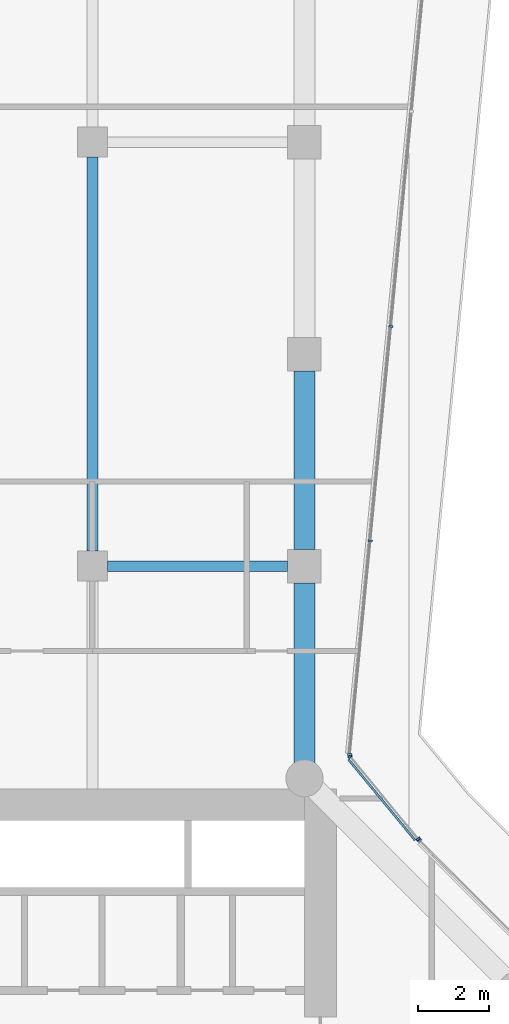
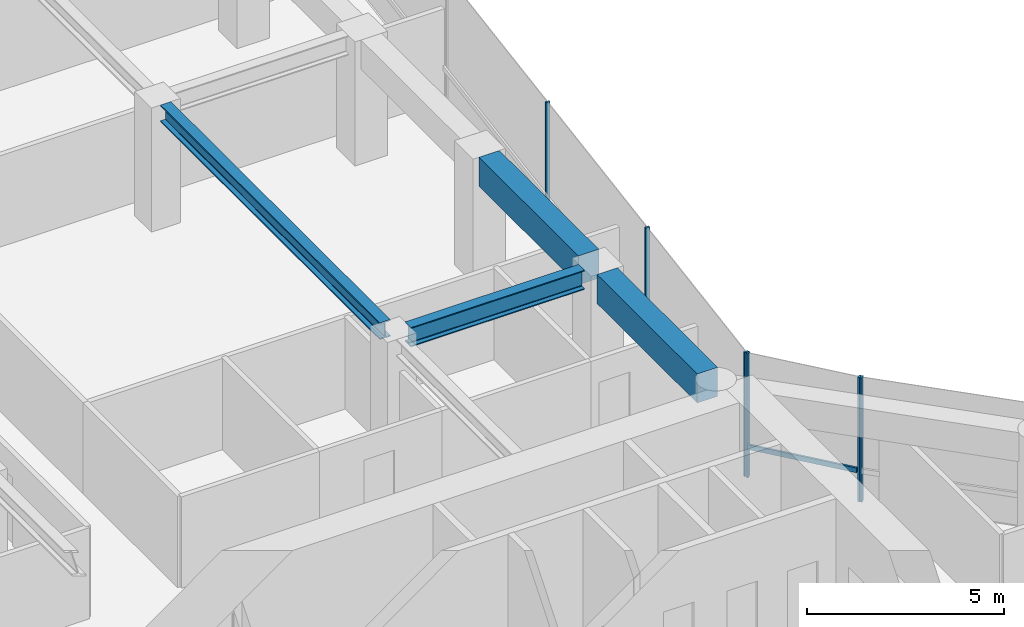
# One storey, part 13 of 31: 7 members, 4 beams, 3 elements without a shape of their own.
"""IFC4 building model written with IfcOpenShell, lengths in metres."""

import ifcopenshell
import ifcopenshell.guid

model = None  # the IFC model being written
_history = None  # IfcOwnerHistory: only IFC2X3 demands one
_inside = {}  # id of a spatial element -> (the spatial element, [elements in it])
_under = {}  # id of a project, library or spatial element -> (it, [spatial elements below it])
_declared = {}  # id of a project -> (the project, [libraries it declares])
_typed = {}  # id of a type object -> (the type object, [elements of that type])
_made_of = {}  # id of a material, layer set ... -> (it, [elements and type objects made of it])


def new_model(schema):
    """Start an empty IFC model of exactly this schema.

    Asked for "IFC4X3", IfcOpenShell would pick the latest addendum, in which some entities
    have other attributes; the version numbers below select the first issue.
    IFC2X3 requires an IfcOwnerHistory on every rooted entity: one is made here for all.
    """
    global model, _history
    if schema == "IFC4X3":
        model = ifcopenshell.file(schema_version=(4, 3, 0, 0))
    else:
        model = ifcopenshell.file(schema=schema)
    _inside.clear()
    _under.clear()
    _declared.clear()
    _typed.clear()
    _made_of.clear()
    _history = None
    if model.schema == "IFC2X3":
        org = make("IfcOrganization", Name="unknown")
        user = make(
            "IfcPersonAndOrganization",
            ThePerson=make("IfcPerson", FamilyName="unknown"),
            TheOrganization=org,
        )
        app = make(
            "IfcApplication",
            ApplicationDeveloper=org,
            Version="unknown",
            ApplicationFullName="unknown",
            ApplicationIdentifier="unknown",
        )
        _history = make(
            "IfcOwnerHistory",
            OwningUser=user,
            OwningApplication=app,
            ChangeAction="ADDED",
            CreationDate=0,
        )
    return model


def make(cls, **values):
    """One entity of the class cls with the attributes given. An attribute that is None is left unset."""
    return model.create_entity(
        cls, **{name: value for name, value in values.items() if value is not None}
    )


def rooted(cls, **values):
    """An entity with a GlobalId (a new one), such as an element, a storey or a relation."""
    return make(cls, GlobalId=ifcopenshell.guid.new(), OwnerHistory=_history, **values)


def si_unit(unit_type, name, prefix=None):
    """IfcSIUnit, for example si_unit("LENGTHUNIT", "METRE", prefix="MILLI")."""
    return make("IfcSIUnit", UnitType=unit_type, Prefix=prefix, Name=name)


def assignment(units):
    """IfcUnitAssignment: the units of a project."""
    return None if units is None else make("IfcUnitAssignment", Units=units)


def point(xyz):
    """IfcCartesianPoint."""
    return None if xyz is None else make("IfcCartesianPoint", Coordinates=xyz)


def direction(xyz):
    """IfcDirection."""
    return None if xyz is None else make("IfcDirection", DirectionRatios=xyz)


def frame(location, z_axis=None, x_axis=None):
    """IfcAxis2Placement3D, a coordinate frame: its origin and axes. An axis left out is left unset."""
    return make(
        "IfcAxis2Placement3D",
        Location=point(location),
        Axis=direction(z_axis),
        RefDirection=direction(x_axis),
    )


def frame_2d(location, x_axis=None):
    """IfcAxis2Placement2D, a coordinate frame in the plane: its origin and x axis."""
    return make(
        "IfcAxis2Placement2D", Location=point(location), RefDirection=direction(x_axis)
    )


def origin():
    """The frame at (0, 0, 0) with its axes left unset."""
    return frame((0.0, 0.0, 0.0))


def origin_2d():
    """The frame at (0, 0) in the plane with its x axis left unset."""
    return frame_2d((0.0, 0.0))


def place(relative_to, where):
    """IfcLocalPlacement: puts the frame where relative to a parent placement (None: the world)."""
    return make(
        "IfcLocalPlacement", PlacementRelTo=relative_to, RelativePlacement=where
    )


def context(
    kind, dimensions, precision=None, world=None, true_north=None, identifier=None
):
    """IfcGeometricRepresentationContext, for example the 3D "Model" context."""
    return make(
        "IfcGeometricRepresentationContext",
        ContextIdentifier=identifier,
        ContextType=kind,
        CoordinateSpaceDimension=dimensions,
        Precision=precision,
        WorldCoordinateSystem=world,
        TrueNorth=true_north,
    )


def subcontext(parent, identifier, kind, view, scale=None):
    """IfcGeometricRepresentationSubContext, for example "Body" below "Model"."""
    return make(
        "IfcGeometricRepresentationSubContext",
        ContextIdentifier=identifier,
        ContextType=kind,
        ParentContext=parent,
        TargetScale=scale,
        TargetView=view,
    )


def project(units=None, contexts=None):
    """IfcProject with its units and contexts."""
    return rooted(
        "IfcProject",
        Name="project",
        RepresentationContexts=contexts,
        UnitsInContext=assignment(units),
    )


def spatial(cls, under=None, at=None, **own):
    """A site, building, storey or space (cls), placed at a placement, below another one or the project."""
    s = rooted(cls, ObjectPlacement=at, **own)
    if under is not None:
        _under.setdefault(under.id(), (under, []))[1].append(s)
    return s


def profile(cls, at=None, kind="AREA", **sizes):
    """A parametric profile (cls). Its sizes go by their IFC names, for example OverallWidth=200.0."""
    return make(cls, ProfileType=kind, Position=at, **sizes)


def rectangle(**sizes):
    """IfcRectangleProfileDef."""
    return profile("IfcRectangleProfileDef", **sizes)


def i_section(**sizes):
    """IfcIShapeProfileDef."""
    return profile("IfcIShapeProfileDef", **sizes)


def extrude(swept, where, along, depth):
    """IfcExtrudedAreaSolid: the profile swept, set in the frame where, extruded along a direction by depth."""
    return make(
        "IfcExtrudedAreaSolid",
        SweptArea=swept,
        Position=where,
        ExtrudedDirection=direction(along),
        Depth=depth,
    )


def shape(context_of_items, identifier, shape_type, items):
    """IfcShapeRepresentation: the items that make up one representation, for example the "Body"."""
    return make(
        "IfcShapeRepresentation",
        ContextOfItems=context_of_items,
        RepresentationIdentifier=identifier,
        RepresentationType=shape_type,
        Items=items,
    )


def material(Name=None, Category=None):
    """IfcMaterial."""
    return make("IfcMaterial", Name=Name, Category=Category)


def layer(
    of_material, thickness, ventilated=None, Name=None, Category=None, Priority=None
):
    """IfcMaterialLayer: one layer of a wall or slab, of a material (None: an air gap)."""
    return make(
        "IfcMaterialLayer",
        Material=of_material,
        LayerThickness=thickness,
        IsVentilated=ventilated,
        Name=Name,
        Category=Category,
        Priority=Priority,
    )


def layer_set(layers, Name=None):
    """IfcMaterialLayerSet."""
    return make("IfcMaterialLayerSet", MaterialLayers=layers, LayerSetName=Name)


def material_profile(
    of_material, cross_section, Name=None, Category=None, Priority=None
):
    """IfcMaterialProfile: a cross section and its material."""
    return make(
        "IfcMaterialProfile",
        Name=Name,
        Material=of_material,
        Profile=cross_section,
        Priority=Priority,
        Category=Category,
    )


def profile_set(profiles, Name=None, composite=None):
    """IfcMaterialProfileSet."""
    return make(
        "IfcMaterialProfileSet",
        Name=Name,
        MaterialProfiles=profiles,
        CompositeProfile=composite,
    )


def made_of(thing, what):
    """Note that an element or type object is made of a material, layer set ...; save() writes the relation."""
    if what is not None:
        _made_of.setdefault(what.id(), (what, []))[1].append(thing)
    return thing


def type_object(cls, material=None, **own):
    """A type object (cls), such as IfcWallType, which elements share."""
    return made_of(rooted(cls, **own), material)


def element(
    cls,
    number,
    at=None,
    inside=None,
    cuts=None,
    type_object=None,
    material=None,
    context=None,
    identifier="Body",
    shape_type=None,
    held_by="IfcProductDefinitionShape",
    body=None,
    shapes=None,
    **own,
):
    """One element of the class cls, such as IfcWall. Its Tag is "e" and its number.

    at: its placement. inside: the storey or other place that contains it. cuts: it is an
    opening in that element (IfcRelVoidsElement). A single representation is given by context,
    identifier, shape_type and body (its items); several are given by shapes. held_by: the class
    of the entity that holds the representations. save() writes the other relations.
    """
    e = rooted(cls, Tag="e%d" % number, ObjectPlacement=at, **own)
    if body is not None:
        shapes = [shape(context, identifier, shape_type, body)]
    if shapes is not None:
        e.Representation = make(held_by, Representations=shapes)
    if inside is not None:
        _inside.setdefault(inside.id(), (inside, []))[1].append(e)
    if cuts is not None:
        rooted(
            "IfcRelVoidsElement", RelatingBuildingElement=cuts, RelatedOpeningElement=e
        )
    if type_object is not None:
        _typed.setdefault(type_object.id(), (type_object, []))[1].append(e)
    return made_of(e, material)


def aggregate(whole, parts):
    """IfcRelAggregates: a whole, such as a stair, and the parts it consists of."""
    return rooted("IfcRelAggregates", RelatingObject=whole, RelatedObjects=parts)


def save(model, path):
    """Write the relations noted so far, then the file.

    IfcRelAggregates (storeys below a building ...), IfcRelContainedInSpatialStructure (elements
    in a storey), IfcRelDefinesByType, IfcRelAssociatesMaterial and IfcRelDeclares: one each for
    every whole, place, type object, material and project.
    """
    for whole, parts in _under.values():
        aggregate(whole, parts)
    for where, things in _inside.values():
        rooted(
            "IfcRelContainedInSpatialStructure",
            RelatedElements=things,
            RelatingStructure=where,
        )
    for kind, things in _typed.values():
        rooted("IfcRelDefinesByType", RelatedObjects=things, RelatingType=kind)
    for what, things in _made_of.values():
        rooted("IfcRelAssociatesMaterial", RelatedObjects=things, RelatingMaterial=what)
    for by, libraries in _declared.values():
        rooted("IfcRelDeclares", RelatingContext=by, RelatedDefinitions=libraries)
    model.write(path)


model = new_model("IFC4")

# Units and contexts
model_context = context("Model", 3, precision=1e-05, world=origin(), true_north=direction((0.0, 1.0)))
body_context = subcontext(model_context, "Body", "Model", "MODEL_VIEW")
ifc_project = project(units=[si_unit("LENGTHUNIT", "METRE"), si_unit("AREAUNIT", "SQUARE_METRE"), si_unit("VOLUMEUNIT", "CUBIC_METRE"), si_unit("PLANEANGLEUNIT", "RADIAN"), si_unit("MASSUNIT", "GRAM", prefix="KILO")], contexts=[model_context])

# Site, building, storey
site_placement = place(None, origin())
site = spatial("IfcSite", under=ifc_project, at=site_placement, CompositionType="ELEMENT")
building_placement = place(site_placement, origin())
building = spatial("IfcBuilding", under=site, at=building_placement, Name="Welwitschia Terrace Campus", CompositionType="ELEMENT")
storey_placement = place(building_placement, frame((0.0, 0.0, 29.0)))
storey = spatial("IfcBuildingStorey", under=building, at=storey_placement, Name="L06", CompositionType="ELEMENT", Elevation=29.0)

# Beam
ifc_material_1 = material(Name="Steel S355", Category="steel")
ifc_material_profile_1 = material_profile(ifc_material_1, i_section(OverallWidth=0.305908203125, OverallDepth=0.52392578125, WebThickness=0.02099609375, FlangeThickness=0.0400390625, FilletRadius=0.027099609375, at=origin_2d()))
ifc_profile_set_1 = profile_set([ifc_material_profile_1], Name="Steel S355")
beam_type_1 = type_object("IfcBeamType", Name="Interior girder HE 500 M", PredefinedType="BEAM", material=ifc_profile_set_1)
beam_1_placement = place(storey_placement, frame((18.0, 32.425537109375, 3.587890625), z_axis=(0.0, 1.0, 0.0), x_axis=(-1.0, 0.0, 0.0)))
element("IfcBeam", 1, at=beam_1_placement, inside=storey, type_object=beam_type_1, Name="Girder GB2", PredefinedType="BEAM", context=body_context, shape_type="SweptSolid", body=[
    extrude(i_section(OverallWidth=0.305908203125, OverallDepth=0.52392578125, WebThickness=0.02099609375, FlangeThickness=0.0400390625, FilletRadius=0.027099609375, at=origin_2d()), origin(), (0.0, 0.0, 1.0), 11.14892578125),
])

# Curtain wall, member
ifc_material_2 = material(Name="Bronze anodised aluminium", Category="aluminium")
ifc_layer = layer(ifc_material_2, 0.1201171875)
ifc_layer_set = layer_set([ifc_layer], Name="Bronze anodised aluminium")
curtain_wall_type = type_object("IfcCurtainWallType", Name="Curtain wall CW2 tower 6000", PredefinedType="NOTDEFINED", material=ifc_layer_set)
curtain_wall_1_placement = place(storey_placement, origin())
curtain_wall_1 = element("IfcCurtainWall", 2, at=curtain_wall_1_placement, inside=storey, type_object=curtain_wall_type, Name="CW L06.10.0", PredefinedType="NOTDEFINED")
ifc_material_3 = material(Name="Bronze anodised aluminium", Category="aluminium")
ifc_material_profile_2 = material_profile(ifc_material_3, rectangle(XDim=0.1201171875, YDim=0.06005859375, at=origin_2d()))
ifc_profile_set_2 = profile_set([ifc_material_profile_2], Name="Bronze anodised aluminium")
member_type_1 = type_object("IfcMemberType", Name="Mullion 60x120", PredefinedType="MULLION", material=ifc_profile_set_2)
member_1_placement = place(storey_placement, frame((27.259765625, 24.236572265625, 0.0), z_axis=(0.0, 0.0, 1.0), x_axis=(-0.707106781187, -0.707106781187, 0.0)))
member_1 = element("IfcMember", 3, at=member_1_placement, type_object=member_type_1, Name="Mullion L06.10.0.1", PredefinedType="MULLION", context=body_context, shape_type="SweptSolid", body=[
    extrude(rectangle(XDim=0.1201171875, YDim=0.06005859375, at=origin_2d()), origin(), (0.0, 0.0, 1.0), 3.85009765625),
])
aggregate(curtain_wall_1, [member_1])

# Curtain wall, members
curtain_wall_2_placement = place(storey_placement, origin())
curtain_wall_2 = element("IfcCurtainWall", 4, at=curtain_wall_2_placement, inside=storey, type_object=curtain_wall_type, Name="CW L06.11.0", PredefinedType="NOTDEFINED")
member_2_placement = place(storey_placement, frame((27.21923828125, 24.281005859375, 0.0), z_axis=(0.0, 0.0, 1.0), x_axis=(-0.771624583388, -0.636078220278, 0.0)))
member_2 = element("IfcMember", 5, at=member_2_placement, type_object=member_type_1, Name="Mullion L06.11.0.0", PredefinedType="MULLION", context=body_context, shape_type="SweptSolid", body=[
    extrude(rectangle(XDim=0.1201171875, YDim=0.06005859375, at=origin_2d()), origin(), (0.0, 0.0, 1.0), 3.85009765625),
])
member_3_placement = place(storey_placement, frame((25.293701171875, 26.616943359375, 0.0), z_axis=(0.0, 0.0, 1.0), x_axis=(-0.771624583388, -0.636078220278, 0.0)))
member_3 = element("IfcMember", 6, at=member_3_placement, type_object=member_type_1, Name="Mullion L06.11.0.1", PredefinedType="MULLION", context=body_context, shape_type="SweptSolid", body=[
    extrude(rectangle(XDim=0.1201171875, YDim=0.06005859375, at=origin_2d()), origin(), (0.0, 0.0, 1.0), 3.85009765625),
])

curtain_wall_3_placement = place(storey_placement, origin())
curtain_wall_3 = element("IfcCurtainWall", 7, at=curtain_wall_3_placement, inside=storey, type_object=curtain_wall_type, Name="CW L06.12.0", PredefinedType="NOTDEFINED")
member_4_placement = place(storey_placement, frame((25.27734375, 26.670166015625, 0.0), z_axis=(0.0, 0.0, 1.0), x_axis=(-0.995396198367, 0.09584575252, 0.0)))
member_4 = element("IfcMember", 8, at=member_4_placement, type_object=member_type_1, Name="Mullion L06.12.0.0", PredefinedType="MULLION", context=body_context, shape_type="SweptSolid", body=[
    extrude(rectangle(XDim=0.1201171875, YDim=0.06005859375, at=origin_2d()), origin(), (0.0, 0.0, 1.0), 3.85009765625),
])
member_5_placement = place(storey_placement, frame((25.859619140625, 32.71533203125, 0.0), z_axis=(0.0, 0.0, 1.0), x_axis=(-0.995396198367, 0.09584575252, 0.0)))
member_5 = element("IfcMember", 9, at=member_5_placement, type_object=member_type_1, Name="Mullion L06.12.0.1", PredefinedType="MULLION", context=body_context, shape_type="SweptSolid", body=[
    extrude(rectangle(XDim=0.1201171875, YDim=0.06005859375, at=origin_2d()), origin(), (0.0, 0.0, 1.0), 3.85009765625),
])
member_6_placement = place(storey_placement, frame((26.444580078125, 38.79052734375, 0.0), z_axis=(0.0, 0.0, 1.0), x_axis=(-0.995396198367, 0.09584575252, 0.0)))
member_6 = element("IfcMember", 10, at=member_6_placement, type_object=member_type_1, Name="Mullion L06.12.0.2", PredefinedType="MULLION", context=body_context, shape_type="SweptSolid", body=[
    extrude(rectangle(XDim=0.1201171875, YDim=0.06005859375, at=origin_2d()), origin(), (0.0, 0.0, 1.0), 3.85009765625),
])
aggregate(curtain_wall_3, [member_4, member_5, member_6])

# Beams
ifc_material_4 = material(Name="Steel S355", Category="steel")
ifc_material_profile_3 = material_profile(ifc_material_4, i_section(OverallWidth=0.300048828125, OverallDepth=0.60009765625, WebThickness=0.015380859375, FlangeThickness=0.030029296875, FilletRadius=0.027099609375, at=origin_2d()))
ifc_profile_set_3 = profile_set([ifc_material_profile_3], Name="Steel S355")
beam_type_2 = type_object("IfcBeamType", Name="Primary beam HE 600 B", PredefinedType="BEAM", material=ifc_profile_set_3)
beam_2_placement = place(storey_placement, frame((23.5244140625, 32.0, 3.550048828125), z_axis=(-1.0, 0.0, 0.0), x_axis=(0.0, -1.0, 0.0)))
element("IfcBeam", 11, at=beam_2_placement, inside=storey, type_object=beam_type_2, Name="Primary beam PB2", PredefinedType="BEAM", context=body_context, shape_type="SweptSolid", body=[
    extrude(i_section(OverallWidth=0.300048828125, OverallDepth=0.60009765625, WebThickness=0.015380859375, FlangeThickness=0.030029296875, FilletRadius=0.027099609375, at=origin_2d()), origin(), (0.0, 0.0, 1.0), 5.098876953125),
])
ifc_material_5 = material(Name="Concrete C60/75", Category="concrete")
ifc_material_profile_4 = material_profile(ifc_material_5, rectangle(XDim=0.60009765625, YDim=0.89990234375, at=origin_2d()))
ifc_profile_set_4 = profile_set([ifc_material_profile_4], Name="Concrete C60/75")
beam_type_3 = type_object("IfcBeamType", Name="Ring spandrel 600x900", PredefinedType="SPANDREL", material=ifc_profile_set_4)
beam_3_placement = place(storey_placement, frame((24.0, 26.431396484375, 3.39990234375), z_axis=(0.0, 1.0, 0.0), x_axis=(-1.0, 0.0, 0.0)))
element("IfcBeam", 12, at=beam_3_placement, inside=storey, type_object=beam_type_3, Name="Spandrel SP2", PredefinedType="SPANDREL", context=body_context, shape_type="SweptSolid", body=[
    extrude(rectangle(XDim=0.60009765625, YDim=0.89990234375, at=origin_2d()), origin(), (0.0, 0.0, 1.0), 5.093017578125),
])
beam_4_placement = place(storey_placement, frame((24.0, 32.4755859375, 3.39990234375), z_axis=(0.0, 1.0, 0.0), x_axis=(-1.0, 0.0, 0.0)))
element("IfcBeam", 13, at=beam_4_placement, inside=storey, type_object=beam_type_3, Name="Spandrel SP2", PredefinedType="SPANDREL", context=body_context, shape_type="SweptSolid", body=[
    extrude(rectangle(XDim=0.60009765625, YDim=0.89990234375, at=origin_2d()), origin(), (0.0, 0.0, 1.0), 5.048828125),
])

# Member
ifc_material_6 = material(Name="Bronze anodised aluminium", Category="aluminium")
ifc_material_profile_5 = material_profile(ifc_material_6, rectangle(XDim=0.06005859375, YDim=0.14990234375, at=origin_2d()))
ifc_profile_set_5 = profile_set([ifc_material_profile_5], Name="Bronze anodised aluminium")
member_type_2 = type_object("IfcMemberType", Name="Transom 60x150", PredefinedType="USERDEFINED", material=ifc_profile_set_5)
member_7_placement = place(storey_placement, frame((27.130859375, 24.246826171875, 1.0), z_axis=(-0.636105113625, 0.771602413436, 0.0), x_axis=(-0.771602413436, -0.636105113625, 0.0)))
member_7 = element("IfcMember", 14, at=member_7_placement, type_object=member_type_2, Name="Transom L06.11.0", ObjectType="TRANSOM", PredefinedType="USERDEFINED", context=body_context, shape_type="SweptSolid", body=[
    extrude(rectangle(XDim=0.06005859375, YDim=0.14990234375, at=origin_2d()), origin(), (0.0, 0.0, 1.0), 2.967529296875),
])

aggregate(curtain_wall_2, [member_2, member_3, member_7])

save(model, "model.ifc")
